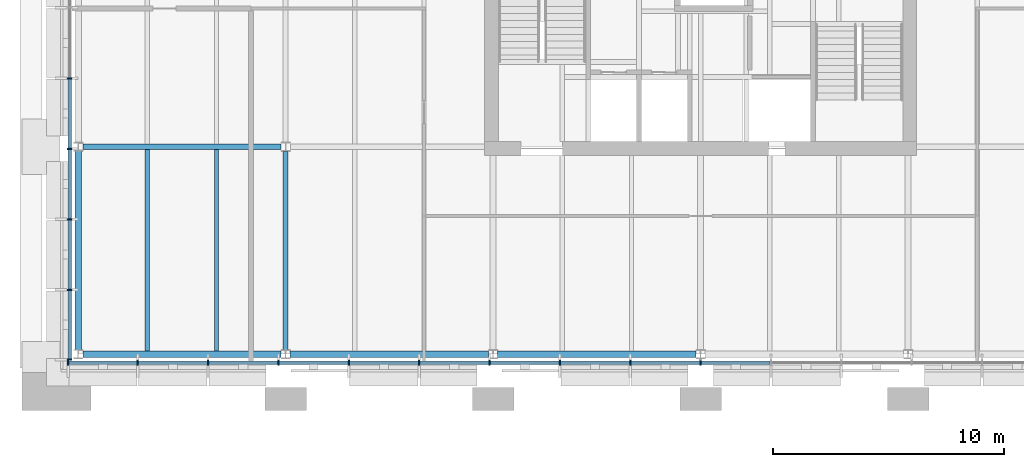
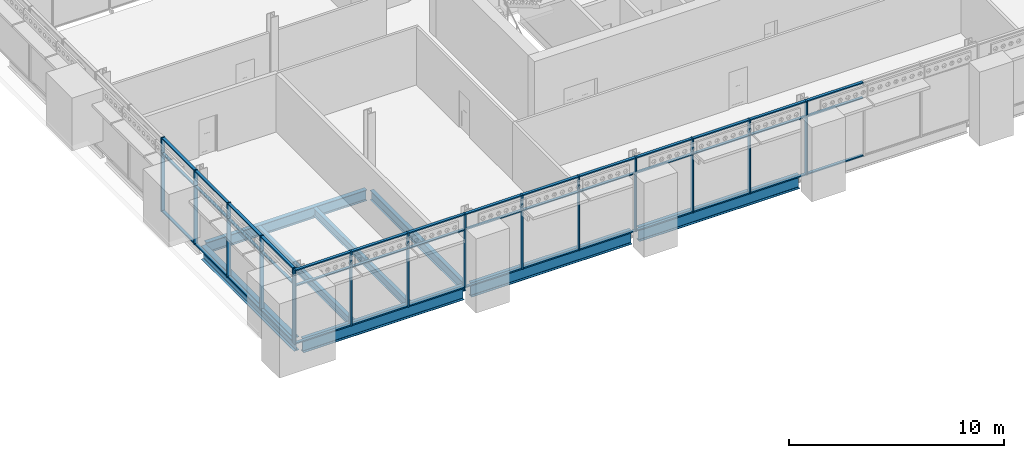
# One storey, part 34 of 153: 57 members, 8 beams, 2 elements without a shape of their own.
"""IFC4 building model written with IfcOpenShell, lengths in metres."""

from ifc_helpers import new_model, si_unit, direction, frame, origin, origin_2d, place, context, subcontext, project, spatial, rectangle, i_section, extrude, material, material_profile, profile_set, type_object, element, aggregate, save


model = new_model("IFC4")

# Units and contexts
model_context = context("Model", 3, precision=1e-05, world=origin(), true_north=direction((0.0, 1.0)))
body_context = subcontext(model_context, "Body", "Model", "MODEL_VIEW")
ifc_project = project(units=[si_unit("LENGTHUNIT", "METRE"), si_unit("AREAUNIT", "SQUARE_METRE"), si_unit("VOLUMEUNIT", "CUBIC_METRE"), si_unit("PLANEANGLEUNIT", "RADIAN"), si_unit("MASSUNIT", "GRAM", prefix="KILO")], contexts=[model_context])

# Site, building, storey
site_placement = place(None, origin())
site = spatial("IfcSite", under=ifc_project, at=site_placement, CompositionType="ELEMENT")
building_placement = place(site_placement, origin())
building = spatial("IfcBuilding", under=site, at=building_placement, Name="Baradari Gate Terminus", CompositionType="ELEMENT")
storey_placement = place(building_placement, frame((0.0, 0.0, 11.699951171875)))
storey = spatial("IfcBuildingStorey", under=building, at=storey_placement, Name="L02", CompositionType="ELEMENT", Elevation=11.699951171875)

# Curtain wall, members
ifc_material_1 = material(Name="Aluminium 6063-T6", Category="aluminium")
curtain_wall_type = type_object("IfcCurtainWallType", Name="Curtain wall CW-1 block unitised, zone L02-L05", PredefinedType="NOTDEFINED", material=ifc_material_1)
curtain_wall_1_placement = place(storey_placement, origin())
curtain_wall_1 = element("IfcCurtainWall", 1, at=curtain_wall_1_placement, inside=storey, type_object=curtain_wall_type, Name="Curtain wall CW-1 Operations block S face L02", PredefinedType="NOTDEFINED")
ifc_material_2 = material(Name="Aluminium 6063-T6", Category="aluminium")
ifc_material_profile_1 = material_profile(ifc_material_2, rectangle(XDim=0.199951171875, YDim=0.06494140625, at=origin_2d()), Name="CM-1 65X200")
ifc_profile_set_1 = profile_set([ifc_material_profile_1], Name="Aluminium 6063-T6")
member_type_1 = type_object("IfcMemberType", Name="Curtain wall mullion CM-1 65x200", PredefinedType="MULLION", material=ifc_profile_set_1)
member_1_placement = place(storey_placement, frame((8.5625, 116.6298828125, 0.0), z_axis=(0.0, 0.0, 1.0), x_axis=(0.0, 1.0, 0.0)))
member_1 = element("IfcMember", 2, at=member_1_placement, type_object=member_type_1, Name="CW-1 mullion 1", PredefinedType="MULLION", context=body_context, shape_type="SweptSolid", body=[
    extrude(rectangle(XDim=0.199951171875, YDim=0.06494140625, at=origin_2d()), origin(), (0.0, 0.0, 1.0), 4.199951171875),
])
member_2_placement = place(storey_placement, frame((11.582275390625, 116.6298828125, 0.0), z_axis=(0.0, 0.0, 1.0), x_axis=(0.0, 1.0, 0.0)))
member_2 = element("IfcMember", 3, at=member_2_placement, type_object=member_type_1, Name="CW-1 mullion 2", PredefinedType="MULLION", context=body_context, shape_type="SweptSolid", body=[
    extrude(rectangle(XDim=0.199951171875, YDim=0.06494140625, at=origin_2d()), origin(), (0.0, 0.0, 1.0), 4.199951171875),
])
member_3_placement = place(storey_placement, frame((14.634521484375, 116.6298828125, 0.0), z_axis=(0.0, 0.0, 1.0), x_axis=(0.0, 1.0, 0.0)))
member_3 = element("IfcMember", 4, at=member_3_placement, type_object=member_type_1, Name="CW-1 mullion 3", PredefinedType="MULLION", context=body_context, shape_type="SweptSolid", body=[
    extrude(rectangle(XDim=0.199951171875, YDim=0.06494140625, at=origin_2d()), origin(), (0.0, 0.0, 1.0), 4.199951171875),
])
member_4_placement = place(storey_placement, frame((17.686767578125, 116.6298828125, 0.0), z_axis=(0.0, 0.0, 1.0), x_axis=(0.0, 1.0, 0.0)))
member_4 = element("IfcMember", 5, at=member_4_placement, type_object=member_type_1, Name="CW-1 mullion 4", PredefinedType="MULLION", context=body_context, shape_type="SweptSolid", body=[
    extrude(rectangle(XDim=0.199951171875, YDim=0.06494140625, at=origin_2d()), origin(), (0.0, 0.0, 1.0), 4.199951171875),
])
member_5_placement = place(storey_placement, frame((20.73876953125, 116.6298828125, 0.0), z_axis=(0.0, 0.0, 1.0), x_axis=(0.0, 1.0, 0.0)))
member_5 = element("IfcMember", 6, at=member_5_placement, type_object=member_type_1, Name="CW-1 mullion 5", PredefinedType="MULLION", context=body_context, shape_type="SweptSolid", body=[
    extrude(rectangle(XDim=0.199951171875, YDim=0.06494140625, at=origin_2d()), origin(), (0.0, 0.0, 1.0), 4.199951171875),
])
member_6_placement = place(storey_placement, frame((23.791015625, 116.6298828125, 0.0), z_axis=(0.0, 0.0, 1.0), x_axis=(0.0, 1.0, 0.0)))
member_6 = element("IfcMember", 7, at=member_6_placement, type_object=member_type_1, Name="CW-1 mullion 6", PredefinedType="MULLION", context=body_context, shape_type="SweptSolid", body=[
    extrude(rectangle(XDim=0.199951171875, YDim=0.06494140625, at=origin_2d()), origin(), (0.0, 0.0, 1.0), 4.199951171875),
])
member_7_placement = place(storey_placement, frame((26.84326171875, 116.6298828125, 0.0), z_axis=(0.0, 0.0, 1.0), x_axis=(0.0, 1.0, 0.0)))
member_7 = element("IfcMember", 8, at=member_7_placement, type_object=member_type_1, Name="CW-1 mullion 7", PredefinedType="MULLION", context=body_context, shape_type="SweptSolid", body=[
    extrude(rectangle(XDim=0.199951171875, YDim=0.06494140625, at=origin_2d()), origin(), (0.0, 0.0, 1.0), 4.199951171875),
])
member_8_placement = place(storey_placement, frame((29.8955078125, 116.6298828125, 0.0), z_axis=(0.0, 0.0, 1.0), x_axis=(0.0, 1.0, 0.0)))
member_8 = element("IfcMember", 9, at=member_8_placement, type_object=member_type_1, Name="CW-1 mullion 8", PredefinedType="MULLION", context=body_context, shape_type="SweptSolid", body=[
    extrude(rectangle(XDim=0.199951171875, YDim=0.06494140625, at=origin_2d()), origin(), (0.0, 0.0, 1.0), 4.199951171875),
])
member_9_placement = place(storey_placement, frame((32.94775390625, 116.6298828125, 0.0), z_axis=(0.0, 0.0, 1.0), x_axis=(0.0, 1.0, 0.0)))
member_9 = element("IfcMember", 10, at=member_9_placement, type_object=member_type_1, Name="CW-1 mullion 9", PredefinedType="MULLION", context=body_context, shape_type="SweptSolid", body=[
    extrude(rectangle(XDim=0.199951171875, YDim=0.06494140625, at=origin_2d()), origin(), (0.0, 0.0, 1.0), 4.199951171875),
])
member_10_placement = place(storey_placement, frame((36.0, 116.6298828125, 0.0), z_axis=(0.0, 0.0, 1.0), x_axis=(0.0, 1.0, 0.0)))
member_10 = element("IfcMember", 11, at=member_10_placement, type_object=member_type_1, Name="CW-1 mullion 10", PredefinedType="MULLION", context=body_context, shape_type="SweptSolid", body=[
    extrude(rectangle(XDim=0.199951171875, YDim=0.06494140625, at=origin_2d()), origin(), (0.0, 0.0, 1.0), 4.199951171875),
])

curtain_wall_2_placement = place(storey_placement, origin())
curtain_wall_2 = element("IfcCurtainWall", 12, at=curtain_wall_2_placement, inside=storey, type_object=curtain_wall_type, Name="Curtain wall CW-1 Operations block W face L02", PredefinedType="NOTDEFINED")
member_11_placement = place(storey_placement, frame((8.6298828125, 116.762451171875, 0.0), z_axis=(0.0, 0.0, 1.0), x_axis=(-1.0, 0.0, 0.0)))
member_11 = element("IfcMember", 13, at=member_11_placement, type_object=member_type_1, Name="CW-1 mullion 1", PredefinedType="MULLION", context=body_context, shape_type="SweptSolid", body=[
    extrude(rectangle(XDim=0.199951171875, YDim=0.06494140625, at=origin_2d()), origin(), (0.0, 0.0, 1.0), 4.199951171875),
])
member_12_placement = place(storey_placement, frame((8.6298828125, 119.7900390625, 0.0), z_axis=(0.0, 0.0, 1.0), x_axis=(-1.0, 0.0, 0.0)))
member_12 = element("IfcMember", 14, at=member_12_placement, type_object=member_type_1, Name="CW-1 mullion 2", PredefinedType="MULLION", context=body_context, shape_type="SweptSolid", body=[
    extrude(rectangle(XDim=0.199951171875, YDim=0.06494140625, at=origin_2d()), origin(), (0.0, 0.0, 1.0), 4.199951171875),
])
member_13_placement = place(storey_placement, frame((8.6298828125, 122.85009765625, 0.0), z_axis=(0.0, 0.0, 1.0), x_axis=(-1.0, 0.0, 0.0)))
member_13 = element("IfcMember", 15, at=member_13_placement, type_object=member_type_1, Name="CW-1 mullion 3", PredefinedType="MULLION", context=body_context, shape_type="SweptSolid", body=[
    extrude(rectangle(XDim=0.199951171875, YDim=0.06494140625, at=origin_2d()), origin(), (0.0, 0.0, 1.0), 4.199951171875),
])
member_14_placement = place(storey_placement, frame((8.6298828125, 125.909912109375, 0.0), z_axis=(0.0, 0.0, 1.0), x_axis=(-1.0, 0.0, 0.0)))
member_14 = element("IfcMember", 16, at=member_14_placement, type_object=member_type_1, Name="CW-1 mullion 4", PredefinedType="MULLION", context=body_context, shape_type="SweptSolid", body=[
    extrude(rectangle(XDim=0.199951171875, YDim=0.06494140625, at=origin_2d()), origin(), (0.0, 0.0, 1.0), 4.199951171875),
])
member_15_placement = place(storey_placement, frame((8.6298828125, 128.969970703125, 0.0), z_axis=(0.0, 0.0, 1.0), x_axis=(-1.0, 0.0, 0.0)))
member_15 = element("IfcMember", 17, at=member_15_placement, type_object=member_type_1, Name="CW-1 mullion 5", PredefinedType="MULLION", context=body_context, shape_type="SweptSolid", body=[
    extrude(rectangle(XDim=0.199951171875, YDim=0.06494140625, at=origin_2d()), origin(), (0.0, 0.0, 1.0), 4.199951171875),
])

# Member
ifc_material_3 = material(Name="Aluminium 6063-T6", Category="aluminium")
ifc_material_profile_2 = material_profile(ifc_material_3, rectangle(XDim=0.14990234375, YDim=0.06494140625, at=origin_2d()), Name="CT-1 65X150")
ifc_profile_set_2 = profile_set([ifc_material_profile_2], Name="Aluminium 6063-T6")
member_type_2 = type_object("IfcMemberType", Name="Curtain wall transom CT-1 65x150", PredefinedType="USERDEFINED", material=ifc_profile_set_2)
member_16_placement = place(storey_placement, frame((8.594970703125, 116.6298828125, 0.032470703125), z_axis=(1.0, 0.0, 0.0), x_axis=(0.0, 1.0, 0.0)))
member_16 = element("IfcMember", 18, at=member_16_placement, type_object=member_type_2, Name="CW-1 transom 1.1", ObjectType="TRANSOM", PredefinedType="USERDEFINED", context=body_context, shape_type="SweptSolid", body=[
    extrude(rectangle(XDim=0.14990234375, YDim=0.06494140625, at=origin_2d()), origin(), (0.0, 0.0, 1.0), 2.954833984375),
])

member_17_placement = place(storey_placement, frame((8.594970703125, 116.6298828125, 3.300048828125), z_axis=(1.0, 0.0, 0.0), x_axis=(0.0, 1.0, 0.0)))
member_17 = element("IfcMember", 19, at=member_17_placement, type_object=member_type_2, Name="CW-1 transom 1.2", ObjectType="TRANSOM", PredefinedType="USERDEFINED", context=body_context, shape_type="SweptSolid", body=[
    extrude(rectangle(XDim=0.14990234375, YDim=0.06494140625, at=origin_2d()), origin(), (0.0, 0.0, 1.0), 2.954833984375),
])

member_18_placement = place(storey_placement, frame((8.594970703125, 116.6298828125, 4.16748046875), z_axis=(1.0, 0.0, 0.0), x_axis=(0.0, 1.0, 0.0)))
member_18 = element("IfcMember", 20, at=member_18_placement, type_object=member_type_2, Name="CW-1 transom 1.3", ObjectType="TRANSOM", PredefinedType="USERDEFINED", context=body_context, shape_type="SweptSolid", body=[
    extrude(rectangle(XDim=0.14990234375, YDim=0.06494140625, at=origin_2d()), origin(), (0.0, 0.0, 1.0), 2.954833984375),
])

member_19_placement = place(storey_placement, frame((11.61474609375, 116.6298828125, 0.032470703125), z_axis=(1.0, 0.0, 0.0), x_axis=(0.0, 1.0, 0.0)))
member_19 = element("IfcMember", 21, at=member_19_placement, type_object=member_type_2, Name="CW-1 transom 2.1", ObjectType="TRANSOM", PredefinedType="USERDEFINED", context=body_context, shape_type="SweptSolid", body=[
    extrude(rectangle(XDim=0.14990234375, YDim=0.06494140625, at=origin_2d()), origin(), (0.0, 0.0, 1.0), 2.9873046875),
])

member_20_placement = place(storey_placement, frame((11.61474609375, 116.6298828125, 3.300048828125), z_axis=(1.0, 0.0, 0.0), x_axis=(0.0, 1.0, 0.0)))
member_20 = element("IfcMember", 22, at=member_20_placement, type_object=member_type_2, Name="CW-1 transom 2.2", ObjectType="TRANSOM", PredefinedType="USERDEFINED", context=body_context, shape_type="SweptSolid", body=[
    extrude(rectangle(XDim=0.14990234375, YDim=0.06494140625, at=origin_2d()), origin(), (0.0, 0.0, 1.0), 2.9873046875),
])

member_21_placement = place(storey_placement, frame((11.61474609375, 116.6298828125, 4.16748046875), z_axis=(1.0, 0.0, 0.0), x_axis=(0.0, 1.0, 0.0)))
member_21 = element("IfcMember", 23, at=member_21_placement, type_object=member_type_2, Name="CW-1 transom 2.3", ObjectType="TRANSOM", PredefinedType="USERDEFINED", context=body_context, shape_type="SweptSolid", body=[
    extrude(rectangle(XDim=0.14990234375, YDim=0.06494140625, at=origin_2d()), origin(), (0.0, 0.0, 1.0), 2.9873046875),
])

member_22_placement = place(storey_placement, frame((14.6669921875, 116.6298828125, 0.032470703125), z_axis=(1.0, 0.0, 0.0), x_axis=(0.0, 1.0, 0.0)))
member_22 = element("IfcMember", 24, at=member_22_placement, type_object=member_type_2, Name="CW-1 transom 3.1", ObjectType="TRANSOM", PredefinedType="USERDEFINED", context=body_context, shape_type="SweptSolid", body=[
    extrude(rectangle(XDim=0.14990234375, YDim=0.06494140625, at=origin_2d()), origin(), (0.0, 0.0, 1.0), 2.987060546875),
])

member_23_placement = place(storey_placement, frame((14.6669921875, 116.6298828125, 3.300048828125), z_axis=(1.0, 0.0, 0.0), x_axis=(0.0, 1.0, 0.0)))
member_23 = element("IfcMember", 25, at=member_23_placement, type_object=member_type_2, Name="CW-1 transom 3.2", ObjectType="TRANSOM", PredefinedType="USERDEFINED", context=body_context, shape_type="SweptSolid", body=[
    extrude(rectangle(XDim=0.14990234375, YDim=0.06494140625, at=origin_2d()), origin(), (0.0, 0.0, 1.0), 2.987060546875),
])

member_24_placement = place(storey_placement, frame((14.6669921875, 116.6298828125, 4.16748046875), z_axis=(1.0, 0.0, 0.0), x_axis=(0.0, 1.0, 0.0)))
member_24 = element("IfcMember", 26, at=member_24_placement, type_object=member_type_2, Name="CW-1 transom 3.3", ObjectType="TRANSOM", PredefinedType="USERDEFINED", context=body_context, shape_type="SweptSolid", body=[
    extrude(rectangle(XDim=0.14990234375, YDim=0.06494140625, at=origin_2d()), origin(), (0.0, 0.0, 1.0), 2.987060546875),
])

member_25_placement = place(storey_placement, frame((17.71923828125, 116.6298828125, 0.032470703125), z_axis=(1.0, 0.0, 0.0), x_axis=(0.0, 1.0, 0.0)))
member_25 = element("IfcMember", 27, at=member_25_placement, type_object=member_type_2, Name="CW-1 transom 4.1", ObjectType="TRANSOM", PredefinedType="USERDEFINED", context=body_context, shape_type="SweptSolid", body=[
    extrude(rectangle(XDim=0.14990234375, YDim=0.06494140625, at=origin_2d()), origin(), (0.0, 0.0, 1.0), 2.987060546875),
])

member_26_placement = place(storey_placement, frame((17.71923828125, 116.6298828125, 3.300048828125), z_axis=(1.0, 0.0, 0.0), x_axis=(0.0, 1.0, 0.0)))
member_26 = element("IfcMember", 28, at=member_26_placement, type_object=member_type_2, Name="CW-1 transom 4.2", ObjectType="TRANSOM", PredefinedType="USERDEFINED", context=body_context, shape_type="SweptSolid", body=[
    extrude(rectangle(XDim=0.14990234375, YDim=0.06494140625, at=origin_2d()), origin(), (0.0, 0.0, 1.0), 2.987060546875),
])

member_27_placement = place(storey_placement, frame((17.71923828125, 116.6298828125, 4.16748046875), z_axis=(1.0, 0.0, 0.0), x_axis=(0.0, 1.0, 0.0)))
member_27 = element("IfcMember", 29, at=member_27_placement, type_object=member_type_2, Name="CW-1 transom 4.3", ObjectType="TRANSOM", PredefinedType="USERDEFINED", context=body_context, shape_type="SweptSolid", body=[
    extrude(rectangle(XDim=0.14990234375, YDim=0.06494140625, at=origin_2d()), origin(), (0.0, 0.0, 1.0), 2.987060546875),
])

member_28_placement = place(storey_placement, frame((20.771484375, 116.6298828125, 0.032470703125), z_axis=(1.0, 0.0, 0.0), x_axis=(0.0, 1.0, 0.0)))
member_28 = element("IfcMember", 30, at=member_28_placement, type_object=member_type_2, Name="CW-1 transom 5.1", ObjectType="TRANSOM", PredefinedType="USERDEFINED", context=body_context, shape_type="SweptSolid", body=[
    extrude(rectangle(XDim=0.14990234375, YDim=0.06494140625, at=origin_2d()), origin(), (0.0, 0.0, 1.0), 2.987060546875),
])

member_29_placement = place(storey_placement, frame((20.771484375, 116.6298828125, 3.300048828125), z_axis=(1.0, 0.0, 0.0), x_axis=(0.0, 1.0, 0.0)))
member_29 = element("IfcMember", 31, at=member_29_placement, type_object=member_type_2, Name="CW-1 transom 5.2", ObjectType="TRANSOM", PredefinedType="USERDEFINED", context=body_context, shape_type="SweptSolid", body=[
    extrude(rectangle(XDim=0.14990234375, YDim=0.06494140625, at=origin_2d()), origin(), (0.0, 0.0, 1.0), 2.987060546875),
])

member_30_placement = place(storey_placement, frame((20.771484375, 116.6298828125, 4.16748046875), z_axis=(1.0, 0.0, 0.0), x_axis=(0.0, 1.0, 0.0)))
member_30 = element("IfcMember", 32, at=member_30_placement, type_object=member_type_2, Name="CW-1 transom 5.3", ObjectType="TRANSOM", PredefinedType="USERDEFINED", context=body_context, shape_type="SweptSolid", body=[
    extrude(rectangle(XDim=0.14990234375, YDim=0.06494140625, at=origin_2d()), origin(), (0.0, 0.0, 1.0), 2.987060546875),
])

member_31_placement = place(storey_placement, frame((23.82373046875, 116.6298828125, 0.032470703125), z_axis=(1.0, 0.0, 0.0), x_axis=(0.0, 1.0, 0.0)))
member_31 = element("IfcMember", 33, at=member_31_placement, type_object=member_type_2, Name="CW-1 transom 6.1", ObjectType="TRANSOM", PredefinedType="USERDEFINED", context=body_context, shape_type="SweptSolid", body=[
    extrude(rectangle(XDim=0.14990234375, YDim=0.06494140625, at=origin_2d()), origin(), (0.0, 0.0, 1.0), 2.987060546875),
])

member_32_placement = place(storey_placement, frame((23.82373046875, 116.6298828125, 3.300048828125), z_axis=(1.0, 0.0, 0.0), x_axis=(0.0, 1.0, 0.0)))
member_32 = element("IfcMember", 34, at=member_32_placement, type_object=member_type_2, Name="CW-1 transom 6.2", ObjectType="TRANSOM", PredefinedType="USERDEFINED", context=body_context, shape_type="SweptSolid", body=[
    extrude(rectangle(XDim=0.14990234375, YDim=0.06494140625, at=origin_2d()), origin(), (0.0, 0.0, 1.0), 2.987060546875),
])

member_33_placement = place(storey_placement, frame((23.82373046875, 116.6298828125, 4.16748046875), z_axis=(1.0, 0.0, 0.0), x_axis=(0.0, 1.0, 0.0)))
member_33 = element("IfcMember", 35, at=member_33_placement, type_object=member_type_2, Name="CW-1 transom 6.3", ObjectType="TRANSOM", PredefinedType="USERDEFINED", context=body_context, shape_type="SweptSolid", body=[
    extrude(rectangle(XDim=0.14990234375, YDim=0.06494140625, at=origin_2d()), origin(), (0.0, 0.0, 1.0), 2.987060546875),
])

member_34_placement = place(storey_placement, frame((26.875732421875, 116.6298828125, 0.032470703125), z_axis=(1.0, 0.0, 0.0), x_axis=(0.0, 1.0, 0.0)))
member_34 = element("IfcMember", 36, at=member_34_placement, type_object=member_type_2, Name="CW-1 transom 7.1", ObjectType="TRANSOM", PredefinedType="USERDEFINED", context=body_context, shape_type="SweptSolid", body=[
    extrude(rectangle(XDim=0.14990234375, YDim=0.06494140625, at=origin_2d()), origin(), (0.0, 0.0, 1.0), 2.9873046875),
])

member_35_placement = place(storey_placement, frame((26.875732421875, 116.6298828125, 3.300048828125), z_axis=(1.0, 0.0, 0.0), x_axis=(0.0, 1.0, 0.0)))
member_35 = element("IfcMember", 37, at=member_35_placement, type_object=member_type_2, Name="CW-1 transom 7.2", ObjectType="TRANSOM", PredefinedType="USERDEFINED", context=body_context, shape_type="SweptSolid", body=[
    extrude(rectangle(XDim=0.14990234375, YDim=0.06494140625, at=origin_2d()), origin(), (0.0, 0.0, 1.0), 2.9873046875),
])

member_36_placement = place(storey_placement, frame((26.875732421875, 116.6298828125, 4.16748046875), z_axis=(1.0, 0.0, 0.0), x_axis=(0.0, 1.0, 0.0)))
member_36 = element("IfcMember", 38, at=member_36_placement, type_object=member_type_2, Name="CW-1 transom 7.3", ObjectType="TRANSOM", PredefinedType="USERDEFINED", context=body_context, shape_type="SweptSolid", body=[
    extrude(rectangle(XDim=0.14990234375, YDim=0.06494140625, at=origin_2d()), origin(), (0.0, 0.0, 1.0), 2.9873046875),
])

member_37_placement = place(storey_placement, frame((29.927978515625, 116.6298828125, 0.032470703125), z_axis=(1.0, 0.0, 0.0), x_axis=(0.0, 1.0, 0.0)))
member_37 = element("IfcMember", 39, at=member_37_placement, type_object=member_type_2, Name="CW-1 transom 8.1", ObjectType="TRANSOM", PredefinedType="USERDEFINED", context=body_context, shape_type="SweptSolid", body=[
    extrude(rectangle(XDim=0.14990234375, YDim=0.06494140625, at=origin_2d()), origin(), (0.0, 0.0, 1.0), 2.9873046875),
])

member_38_placement = place(storey_placement, frame((29.927978515625, 116.6298828125, 3.300048828125), z_axis=(1.0, 0.0, 0.0), x_axis=(0.0, 1.0, 0.0)))
member_38 = element("IfcMember", 40, at=member_38_placement, type_object=member_type_2, Name="CW-1 transom 8.2", ObjectType="TRANSOM", PredefinedType="USERDEFINED", context=body_context, shape_type="SweptSolid", body=[
    extrude(rectangle(XDim=0.14990234375, YDim=0.06494140625, at=origin_2d()), origin(), (0.0, 0.0, 1.0), 2.9873046875),
])

member_39_placement = place(storey_placement, frame((29.927978515625, 116.6298828125, 4.16748046875), z_axis=(1.0, 0.0, 0.0), x_axis=(0.0, 1.0, 0.0)))
member_39 = element("IfcMember", 41, at=member_39_placement, type_object=member_type_2, Name="CW-1 transom 8.3", ObjectType="TRANSOM", PredefinedType="USERDEFINED", context=body_context, shape_type="SweptSolid", body=[
    extrude(rectangle(XDim=0.14990234375, YDim=0.06494140625, at=origin_2d()), origin(), (0.0, 0.0, 1.0), 2.9873046875),
])

member_40_placement = place(storey_placement, frame((32.980224609375, 116.6298828125, 0.032470703125), z_axis=(1.0, 0.0, 0.0), x_axis=(0.0, 1.0, 0.0)))
member_40 = element("IfcMember", 42, at=member_40_placement, type_object=member_type_2, Name="CW-1 transom 9.1", ObjectType="TRANSOM", PredefinedType="USERDEFINED", context=body_context, shape_type="SweptSolid", body=[
    extrude(rectangle(XDim=0.14990234375, YDim=0.06494140625, at=origin_2d()), origin(), (0.0, 0.0, 1.0), 2.9873046875),
])

member_41_placement = place(storey_placement, frame((32.980224609375, 116.6298828125, 3.300048828125), z_axis=(1.0, 0.0, 0.0), x_axis=(0.0, 1.0, 0.0)))
member_41 = element("IfcMember", 43, at=member_41_placement, type_object=member_type_2, Name="CW-1 transom 9.2", ObjectType="TRANSOM", PredefinedType="USERDEFINED", context=body_context, shape_type="SweptSolid", body=[
    extrude(rectangle(XDim=0.14990234375, YDim=0.06494140625, at=origin_2d()), origin(), (0.0, 0.0, 1.0), 2.9873046875),
])

member_42_placement = place(storey_placement, frame((32.980224609375, 116.6298828125, 4.16748046875), z_axis=(1.0, 0.0, 0.0), x_axis=(0.0, 1.0, 0.0)))
member_42 = element("IfcMember", 44, at=member_42_placement, type_object=member_type_2, Name="CW-1 transom 9.3", ObjectType="TRANSOM", PredefinedType="USERDEFINED", context=body_context, shape_type="SweptSolid", body=[
    extrude(rectangle(XDim=0.14990234375, YDim=0.06494140625, at=origin_2d()), origin(), (0.0, 0.0, 1.0), 2.9873046875),
])

member_43_placement = place(storey_placement, frame((36.032470703125, 116.6298828125, 0.032470703125), z_axis=(1.0, 0.0, 0.0), x_axis=(0.0, 1.0, 0.0)))
member_43 = element("IfcMember", 45, at=member_43_placement, type_object=member_type_2, Name="CW-1 transom 10.1", ObjectType="TRANSOM", PredefinedType="USERDEFINED", context=body_context, shape_type="SweptSolid", body=[
    extrude(rectangle(XDim=0.14990234375, YDim=0.06494140625, at=origin_2d()), origin(), (0.0, 0.0, 1.0), 2.9873046875),
])

member_44_placement = place(storey_placement, frame((36.032470703125, 116.6298828125, 3.300048828125), z_axis=(1.0, 0.0, 0.0), x_axis=(0.0, 1.0, 0.0)))
member_44 = element("IfcMember", 46, at=member_44_placement, type_object=member_type_2, Name="CW-1 transom 10.2", ObjectType="TRANSOM", PredefinedType="USERDEFINED", context=body_context, shape_type="SweptSolid", body=[
    extrude(rectangle(XDim=0.14990234375, YDim=0.06494140625, at=origin_2d()), origin(), (0.0, 0.0, 1.0), 2.9873046875),
])

member_45_placement = place(storey_placement, frame((36.032470703125, 116.6298828125, 4.16748046875), z_axis=(1.0, 0.0, 0.0), x_axis=(0.0, 1.0, 0.0)))
member_45 = element("IfcMember", 47, at=member_45_placement, type_object=member_type_2, Name="CW-1 transom 10.3", ObjectType="TRANSOM", PredefinedType="USERDEFINED", context=body_context, shape_type="SweptSolid", body=[
    extrude(rectangle(XDim=0.14990234375, YDim=0.06494140625, at=origin_2d()), origin(), (0.0, 0.0, 1.0), 2.9873046875),
])

aggregate(curtain_wall_1, [member_1, member_2, member_3, member_4, member_5, member_6, member_7, member_8, member_9, member_10, member_16, member_17, member_18, member_19, member_20, member_21, member_22, member_23, member_24, member_25, member_26, member_27, member_28, member_29, member_30, member_31, member_32, member_33, member_34, member_35, member_36, member_37, member_38, member_39, member_40, member_41, member_42, member_43, member_44, member_45])

member_46_placement = place(storey_placement, frame((8.6298828125, 116.794921875, 0.032470703125), z_axis=(0.0, 1.0, 0.0), x_axis=(-1.0, 0.0, 0.0)))
member_46 = element("IfcMember", 48, at=member_46_placement, type_object=member_type_2, Name="CW-1 transom 1.1", ObjectType="TRANSOM", PredefinedType="USERDEFINED", context=body_context, shape_type="SweptSolid", body=[
    extrude(rectangle(XDim=0.14990234375, YDim=0.06494140625, at=origin_2d()), origin(), (0.0, 0.0, 1.0), 2.962646484375),
])

member_47_placement = place(storey_placement, frame((8.6298828125, 116.794921875, 3.300048828125), z_axis=(0.0, 1.0, 0.0), x_axis=(-1.0, 0.0, 0.0)))
member_47 = element("IfcMember", 49, at=member_47_placement, type_object=member_type_2, Name="CW-1 transom 1.2", ObjectType="TRANSOM", PredefinedType="USERDEFINED", context=body_context, shape_type="SweptSolid", body=[
    extrude(rectangle(XDim=0.14990234375, YDim=0.06494140625, at=origin_2d()), origin(), (0.0, 0.0, 1.0), 2.962646484375),
])

member_48_placement = place(storey_placement, frame((8.6298828125, 116.794921875, 4.16748046875), z_axis=(0.0, 1.0, 0.0), x_axis=(-1.0, 0.0, 0.0)))
member_48 = element("IfcMember", 50, at=member_48_placement, type_object=member_type_2, Name="CW-1 transom 1.3", ObjectType="TRANSOM", PredefinedType="USERDEFINED", context=body_context, shape_type="SweptSolid", body=[
    extrude(rectangle(XDim=0.14990234375, YDim=0.06494140625, at=origin_2d()), origin(), (0.0, 0.0, 1.0), 2.962646484375),
])

member_49_placement = place(storey_placement, frame((8.6298828125, 119.822509765625, 0.032470703125), z_axis=(0.0, 1.0, 0.0), x_axis=(-1.0, 0.0, 0.0)))
member_49 = element("IfcMember", 51, at=member_49_placement, type_object=member_type_2, Name="CW-1 transom 2.1", ObjectType="TRANSOM", PredefinedType="USERDEFINED", context=body_context, shape_type="SweptSolid", body=[
    extrude(rectangle(XDim=0.14990234375, YDim=0.06494140625, at=origin_2d()), origin(), (0.0, 0.0, 1.0), 2.994873046875),
])

member_50_placement = place(storey_placement, frame((8.6298828125, 119.822509765625, 3.300048828125), z_axis=(0.0, 1.0, 0.0), x_axis=(-1.0, 0.0, 0.0)))
member_50 = element("IfcMember", 52, at=member_50_placement, type_object=member_type_2, Name="CW-1 transom 2.2", ObjectType="TRANSOM", PredefinedType="USERDEFINED", context=body_context, shape_type="SweptSolid", body=[
    extrude(rectangle(XDim=0.14990234375, YDim=0.06494140625, at=origin_2d()), origin(), (0.0, 0.0, 1.0), 2.994873046875),
])

member_51_placement = place(storey_placement, frame((8.6298828125, 119.822509765625, 4.16748046875), z_axis=(0.0, 1.0, 0.0), x_axis=(-1.0, 0.0, 0.0)))
member_51 = element("IfcMember", 53, at=member_51_placement, type_object=member_type_2, Name="CW-1 transom 2.3", ObjectType="TRANSOM", PredefinedType="USERDEFINED", context=body_context, shape_type="SweptSolid", body=[
    extrude(rectangle(XDim=0.14990234375, YDim=0.06494140625, at=origin_2d()), origin(), (0.0, 0.0, 1.0), 2.994873046875),
])

member_52_placement = place(storey_placement, frame((8.6298828125, 122.882568359375, 0.032470703125), z_axis=(0.0, 1.0, 0.0), x_axis=(-1.0, 0.0, 0.0)))
member_52 = element("IfcMember", 54, at=member_52_placement, type_object=member_type_2, Name="CW-1 transom 3.1", ObjectType="TRANSOM", PredefinedType="USERDEFINED", context=body_context, shape_type="SweptSolid", body=[
    extrude(rectangle(XDim=0.14990234375, YDim=0.06494140625, at=origin_2d()), origin(), (0.0, 0.0, 1.0), 2.994873046875),
])

member_53_placement = place(storey_placement, frame((8.6298828125, 122.882568359375, 3.300048828125), z_axis=(0.0, 1.0, 0.0), x_axis=(-1.0, 0.0, 0.0)))
member_53 = element("IfcMember", 55, at=member_53_placement, type_object=member_type_2, Name="CW-1 transom 3.2", ObjectType="TRANSOM", PredefinedType="USERDEFINED", context=body_context, shape_type="SweptSolid", body=[
    extrude(rectangle(XDim=0.14990234375, YDim=0.06494140625, at=origin_2d()), origin(), (0.0, 0.0, 1.0), 2.994873046875),
])

member_54_placement = place(storey_placement, frame((8.6298828125, 122.882568359375, 4.16748046875), z_axis=(0.0, 1.0, 0.0), x_axis=(-1.0, 0.0, 0.0)))
member_54 = element("IfcMember", 56, at=member_54_placement, type_object=member_type_2, Name="CW-1 transom 3.3", ObjectType="TRANSOM", PredefinedType="USERDEFINED", context=body_context, shape_type="SweptSolid", body=[
    extrude(rectangle(XDim=0.14990234375, YDim=0.06494140625, at=origin_2d()), origin(), (0.0, 0.0, 1.0), 2.994873046875),
])

member_55_placement = place(storey_placement, frame((8.6298828125, 125.9423828125, 0.032470703125), z_axis=(0.0, 1.0, 0.0), x_axis=(-1.0, 0.0, 0.0)))
member_55 = element("IfcMember", 57, at=member_55_placement, type_object=member_type_2, Name="CW-1 transom 4.1", ObjectType="TRANSOM", PredefinedType="USERDEFINED", context=body_context, shape_type="SweptSolid", body=[
    extrude(rectangle(XDim=0.14990234375, YDim=0.06494140625, at=origin_2d()), origin(), (0.0, 0.0, 1.0), 2.9951171875),
])

member_56_placement = place(storey_placement, frame((8.6298828125, 125.9423828125, 3.300048828125), z_axis=(0.0, 1.0, 0.0), x_axis=(-1.0, 0.0, 0.0)))
member_56 = element("IfcMember", 58, at=member_56_placement, type_object=member_type_2, Name="CW-1 transom 4.2", ObjectType="TRANSOM", PredefinedType="USERDEFINED", context=body_context, shape_type="SweptSolid", body=[
    extrude(rectangle(XDim=0.14990234375, YDim=0.06494140625, at=origin_2d()), origin(), (0.0, 0.0, 1.0), 2.9951171875),
])

member_57_placement = place(storey_placement, frame((8.6298828125, 125.9423828125, 4.16748046875), z_axis=(0.0, 1.0, 0.0), x_axis=(-1.0, 0.0, 0.0)))
member_57 = element("IfcMember", 59, at=member_57_placement, type_object=member_type_2, Name="CW-1 transom 4.3", ObjectType="TRANSOM", PredefinedType="USERDEFINED", context=body_context, shape_type="SweptSolid", body=[
    extrude(rectangle(XDim=0.14990234375, YDim=0.06494140625, at=origin_2d()), origin(), (0.0, 0.0, 1.0), 2.9951171875),
])

aggregate(curtain_wall_2, [member_11, member_12, member_13, member_14, member_15, member_46, member_47, member_48, member_49, member_50, member_51, member_52, member_53, member_54, member_55, member_56, member_57])

# Beams
ifc_material_4 = material(Name="Steel S355", Category="steel")
ifc_material_profile_3 = material_profile(ifc_material_4, i_section(OverallWidth=0.22900390625, OverallDepth=0.6123046875, WebThickness=0.011962890625, FlangeThickness=0.01953125, FilletRadius=0.0126953125, at=origin_2d()), Name="UB 610x229x125")
ifc_profile_set_3 = profile_set([ifc_material_profile_3], Name="Steel S355")
beam_type_1 = type_object("IfcBeamType", Name="Operations block girder B25 UB 610x229x125", PredefinedType="BEAM", material=ifc_profile_set_3)
beam_1_placement = place(storey_placement, frame((9.197509765625, 126.0, -0.43603515625), z_axis=(1.0, 0.0, 0.0), x_axis=(0.0, 1.0, 0.0)))
element("IfcBeam", 60, at=beam_1_placement, inside=storey, type_object=beam_type_1, Name="Operations block girder B25 Q:9.197-17.799 L02", PredefinedType="BEAM", context=body_context, shape_type="SweptSolid", body=[
    extrude(i_section(OverallWidth=0.22900390625, OverallDepth=0.6123046875, WebThickness=0.011962890625, FlangeThickness=0.01953125, FilletRadius=0.0126953125, at=origin_2d()), origin(), (0.0, 0.0, 1.0), 8.60107421875),
])
ifc_material_5 = material(Name="Steel S355", Category="steel")
ifc_material_profile_4 = material_profile(ifc_material_5, i_section(OverallWidth=0.210693359375, OverallDepth=0.53955078125, WebThickness=0.01171875, FlangeThickness=0.018798828125, FilletRadius=0.0126953125, at=origin_2d()), Name="UB 533x210x109")
ifc_profile_set_4 = profile_set([ifc_material_profile_4], Name="Steel S355")
beam_type_2 = type_object("IfcBeamType", Name="Operations block girder B29 UB 533x210x109", PredefinedType="BEAM", material=ifc_profile_set_4)
beam_2_placement = place(storey_placement, frame((18.0, 117.1904296875, -0.399658203125), z_axis=(0.0, 1.0, 0.0), x_axis=(-1.0, 0.0, 0.0)))
element("IfcBeam", 61, at=beam_2_placement, inside=storey, type_object=beam_type_2, Name="Operations block girder B29 3:117.191-125.797 L02", PredefinedType="BEAM", context=body_context, shape_type="SweptSolid", body=[
    extrude(i_section(OverallWidth=0.210693359375, OverallDepth=0.53955078125, WebThickness=0.01171875, FlangeThickness=0.018798828125, FilletRadius=0.0126953125, at=origin_2d()), origin(), (0.0, 0.0, 1.0), 8.6064453125),
])
ifc_material_6 = material(Name="Steel S355", Category="steel")
ifc_material_profile_5 = material_profile(ifc_material_6, i_section(OverallWidth=0.2666015625, OverallDepth=0.76220703125, WebThickness=0.014404296875, FlangeThickness=0.021484375, FilletRadius=0.0166015625, at=origin_2d()), Name="UB 762x267x173")
ifc_profile_set_5 = profile_set([ifc_material_profile_5], Name="Steel S355")
beam_type_3 = type_object("IfcBeamType", Name="Operations block moment frame beam B24 UB 762x267x173", PredefinedType="BEAM", material=ifc_profile_set_5)
for number, where, z_axis, x_axis, name in (
    (62, (9.197509765625, 117.0, -0.510986328125), (1.0, 0.0, 0.0), (0.0, 1.0, 0.0), "Operations block moment frame beam B24 P:9.197-17.803 L02"),
    (63, (18.197509765625, 117.0, -0.510986328125), (1.0, 0.0, 0.0), (0.0, 1.0, 0.0), "Operations block moment frame beam B24 P:18.197-26.803 L02"),
    (64, (27.197509765625, 117.0, -0.510986328125), (1.0, 0.0, 0.0), (0.0, 1.0, 0.0), "Operations block moment frame beam B24 P:27.197-35.803 L02"),
):
    element("IfcBeam", number, at=place(storey_placement, frame(where, z_axis=z_axis, x_axis=x_axis)), inside=storey, type_object=beam_type_3, Name=name, PredefinedType="BEAM", context=body_context, shape_type="SweptSolid", body=[
        extrude(i_section(OverallWidth=0.2666015625, OverallDepth=0.76220703125, WebThickness=0.014404296875, FlangeThickness=0.021484375, FilletRadius=0.0166015625, at=origin_2d()), origin(), (0.0, 0.0, 1.0), 8.60498046875),
    ])
beam_3_placement = place(storey_placement, frame((9.0, 117.1904296875, -0.510986328125), z_axis=(0.0, 1.0, 0.0), x_axis=(-1.0, 0.0, 0.0)))
element("IfcBeam", 65, at=beam_3_placement, inside=storey, type_object=beam_type_3, Name="Operations block moment frame beam B24 2:117.191-125.809 L02", PredefinedType="BEAM", context=body_context, shape_type="SweptSolid", body=[
    extrude(i_section(OverallWidth=0.2666015625, OverallDepth=0.76220703125, WebThickness=0.014404296875, FlangeThickness=0.021484375, FilletRadius=0.0166015625, at=origin_2d()), origin(), (0.0, 0.0, 1.0), 8.619140625),
])
ifc_material_7 = material(Name="Steel S355", Category="steel")
ifc_material_profile_6 = material_profile(ifc_material_7, i_section(OverallWidth=0.18994140625, OverallDepth=0.453369140625, WebThickness=0.008544921875, FlangeThickness=0.0126953125, FilletRadius=0.01025390625, at=origin_2d()), Name="UB 457x191x67")
ifc_profile_set_6 = profile_set([ifc_material_profile_6], Name="Steel S355")
beam_type_4 = type_object("IfcBeamType", Name="Operations block secondary beam B28 UB 457x191x67", PredefinedType="BEAM", material=ifc_profile_set_6)
for number, where, z_axis, x_axis, name in (
    (66, (12.0, 117.13330078125, -0.356689453125), (0.0, 1.0, 0.0), (-1.0, 0.0, 0.0), "Operations block secondary beam B28 12:117.133-125.885 L02"),
    (67, (15.0, 117.13330078125, -0.356689453125), (0.0, 1.0, 0.0), (-1.0, 0.0, 0.0), "Operations block secondary beam B28 15:117.133-125.885 L02"),
):
    element("IfcBeam", number, at=place(storey_placement, frame(where, z_axis=z_axis, x_axis=x_axis)), inside=storey, type_object=beam_type_4, Name=name, PredefinedType="BEAM", context=body_context, shape_type="SweptSolid", body=[
        extrude(i_section(OverallWidth=0.18994140625, OverallDepth=0.453369140625, WebThickness=0.008544921875, FlangeThickness=0.0126953125, FilletRadius=0.01025390625, at=origin_2d()), origin(), (0.0, 0.0, 1.0), 8.752197265625),
    ])

save(model, "model.ifc")
